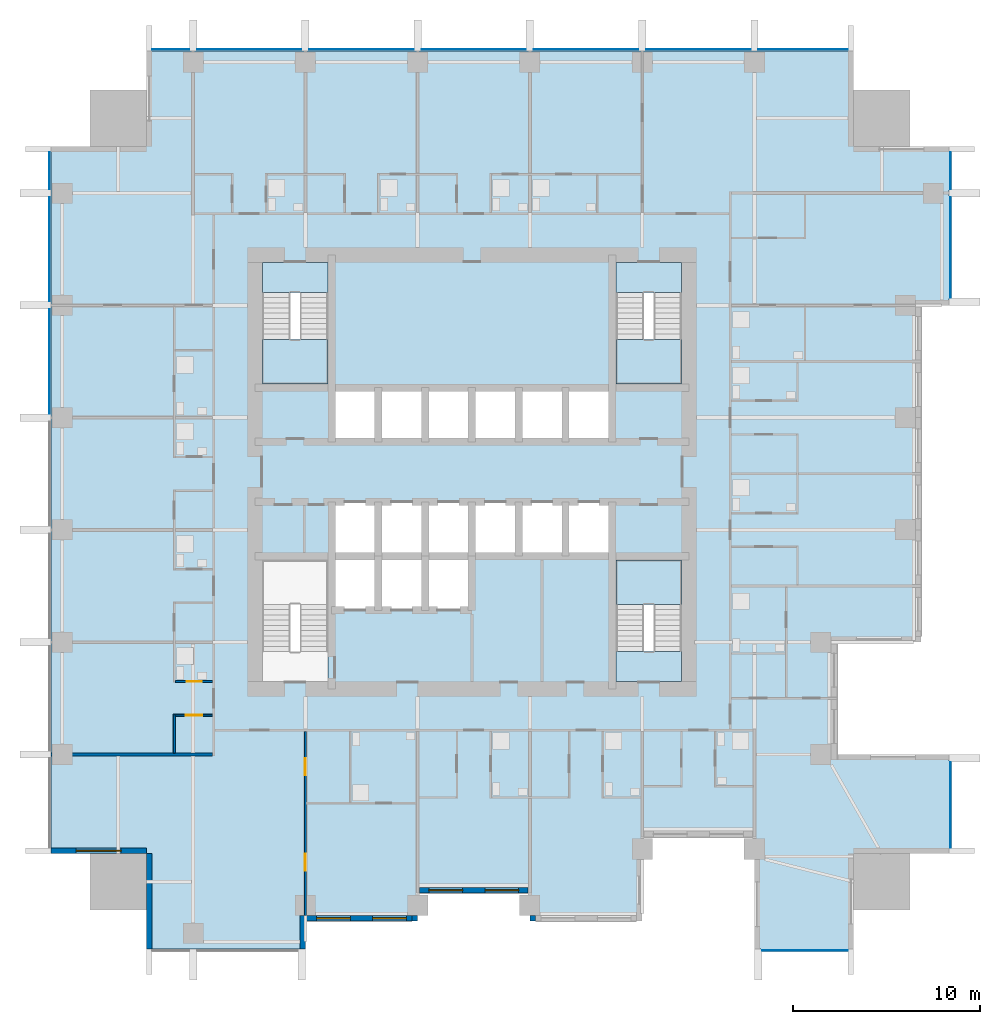
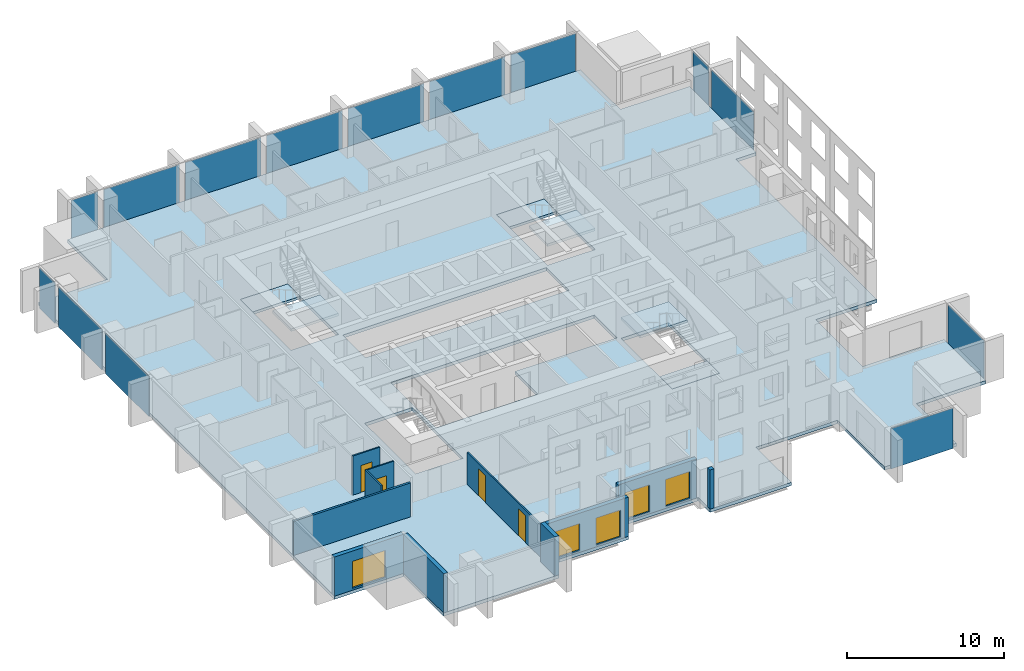
# One storey, part 3 of 12: 14 plates, 12 walls, 7 slabs, 5 windows, 4 doors, 9 openings, 8 elements without a shape of their own.
"""IFC4 building model written with IfcOpenShell, lengths in metres."""

from ifc_helpers import new_model, si_unit, direction, frame, frame_2d, origin, origin_2d, place, context, subcontext, project, spatial, polyline, rectangle, outline, extrude, material, layer, layer_set, type_object, element, fill, aggregate, save


model = new_model("IFC4")

# Units and contexts
model_context = context("Model", 3, precision=1e-05, world=origin(), true_north=direction((0.0, 1.0)))
body_context = subcontext(model_context, "Body", "Model", "MODEL_VIEW")
ifc_project = project(units=[si_unit("LENGTHUNIT", "METRE"), si_unit("AREAUNIT", "SQUARE_METRE"), si_unit("VOLUMEUNIT", "CUBIC_METRE"), si_unit("PLANEANGLEUNIT", "RADIAN"), si_unit("MASSUNIT", "GRAM", prefix="KILO")], contexts=[model_context])

# Site, building, storey
site_placement = place(None, origin())
site = spatial("IfcSite", under=ifc_project, at=site_placement, CompositionType="ELEMENT")
building_placement = place(site_placement, origin())
building = spatial("IfcBuilding", under=site, at=building_placement, Name="Amberfall Residences", CompositionType="ELEMENT")
storey_placement = place(building_placement, frame((0.0, 0.0, 88.60009765625)))
storey = spatial("IfcBuildingStorey", under=building, at=storey_placement, Name="L23", CompositionType="ELEMENT", Elevation=88.60009765625)

# Curtain wall, plate
ifc_material_1 = material(Name="Bronze anodised aluminium and glass", Category="aluminium")
curtain_wall_type = type_object("IfcCurtainWallType", Name="Curtain wall CW1 tower unit", PredefinedType="USERDEFINED", material=ifc_material_1)
curtain_wall_1_placement = place(storey_placement, origin())
curtain_wall_1 = element("IfcCurtainWall", 1, at=curtain_wall_1_placement, inside=storey, type_object=curtain_wall_type, Name="Curtain wall L23 S S11", ObjectType="UNITISED CURTAIN WALL", PredefinedType="USERDEFINED")
ifc_material_2 = material(Name="Tinted double glazed unit", Category="glass")
ifc_layer_1 = layer(ifc_material_2, 0.035888671875)
ifc_layer_set_1 = layer_set([ifc_layer_1], Name="CW1 panel 36 glazing")
plate_type = type_object("IfcPlateType", Name="CW1 panel 36 glazing", PredefinedType="CURTAIN_PANEL", material=ifc_layer_set_1)
plate_1_placement = place(storey_placement, frame((92.300048828125, 19.925048828125, -0.25), z_axis=(0.0, 0.0, 1.0), x_axis=(1.0, 0.0, 0.0)))
plate_1 = element("IfcPlate", 2, at=plate_1_placement, type_object=plate_type, Name="CW1 panel 1.1", PredefinedType="CURTAIN_PANEL", context=body_context, shape_type="SweptSolid", body=[
    extrude(rectangle(XDim=4.575927734375, YDim=0.035888671875, at=origin_2d()), origin(), (0.0, 0.0, 1.0), 3.14990234375),
])
aggregate(curtain_wall_1, [plate_1])

curtain_wall_2_placement = place(storey_placement, origin())
curtain_wall_2 = element("IfcCurtainWall", 3, at=curtain_wall_2_placement, inside=storey, type_object=curtain_wall_type, Name="Curtain wall L23 E E1", ObjectType="UNITISED CURTAIN WALL", PredefinedType="USERDEFINED")
plate_2_placement = place(storey_placement, frame((100.074951171875, 27.699951171875, -0.25), z_axis=(0.0, 0.0, 1.0), x_axis=(0.0, 1.0, 0.0)))
plate_2 = element("IfcPlate", 4, at=plate_2_placement, type_object=plate_type, Name="CW1 panel 1.1", PredefinedType="CURTAIN_PANEL", context=body_context, shape_type="SweptSolid", body=[
    extrude(rectangle(XDim=4.575927734375, YDim=0.035888671875, at=origin_2d()), origin(), (0.0, 0.0, 1.0), 3.14990234375),
])
aggregate(curtain_wall_2, [plate_2])

# Curtain wall, plates
curtain_wall_3_placement = place(storey_placement, origin())
curtain_wall_3 = element("IfcCurtainWall", 5, at=curtain_wall_3_placement, inside=storey, type_object=curtain_wall_type, Name="Curtain wall L23 E E9", ObjectType="UNITISED CURTAIN WALL", PredefinedType="USERDEFINED")
plate_3_placement = place(storey_placement, frame((100.074951171875, 57.5, -0.25), z_axis=(0.0, 0.0, 1.0), x_axis=(0.0, 1.0, 0.0)))
plate_3 = element("IfcPlate", 6, at=plate_3_placement, type_object=plate_type, Name="CW1 panel 1.1", PredefinedType="CURTAIN_PANEL", context=body_context, shape_type="SweptSolid", body=[
    extrude(rectangle(XDim=5.3759765625, YDim=0.035888671875, at=origin_2d()), origin(), (0.0, 0.0, 1.0), 3.14990234375),
])
plate_4_placement = place(storey_placement, frame((100.074951171875, 61.60009765625, -0.25), z_axis=(0.0, 0.0, 1.0), x_axis=(0.0, 1.0, 0.0)))
plate_4 = element("IfcPlate", 7, at=plate_4_placement, type_object=plate_type, Name="CW1 panel 2.1", PredefinedType="CURTAIN_PANEL", context=body_context, shape_type="SweptSolid", body=[
    extrude(rectangle(XDim=1.97607421875, YDim=0.035888671875, at=origin_2d()), origin(), (0.0, 0.0, 1.0), 3.14990234375),
])
aggregate(curtain_wall_3, [plate_3, plate_4])

curtain_wall_4_placement = place(storey_placement, origin())
curtain_wall_4 = element("IfcCurtainWall", 8, at=curtain_wall_4_placement, inside=storey, type_object=curtain_wall_type, Name="Curtain wall L23 N N1", ObjectType="UNITISED CURTAIN WALL", PredefinedType="USERDEFINED")
plate_5_placement = place(storey_placement, frame((92.199951171875, 68.074951171875, -0.25), z_axis=(0.0, 0.0, 1.0), x_axis=(-1.0, 0.0, 0.0)))
plate_5 = element("IfcPlate", 9, at=plate_5_placement, type_object=plate_type, Name="CW1 panel 1.1", PredefinedType="CURTAIN_PANEL", context=body_context, shape_type="SweptSolid", body=[
    extrude(rectangle(XDim=4.77587890625, YDim=0.035888671875, at=origin_2d()), origin(), (0.0, 0.0, 1.0), 3.14990234375),
])
plate_6_placement = place(storey_placement, frame((86.60009765625, 68.074951171875, -0.25), z_axis=(0.0, 0.0, 1.0), x_axis=(-1.0, 0.0, 0.0)))
plate_6 = element("IfcPlate", 10, at=plate_6_placement, type_object=plate_type, Name="CW1 panel 2.1", PredefinedType="CURTAIN_PANEL", context=body_context, shape_type="SweptSolid", body=[
    extrude(rectangle(XDim=5.575927734375, YDim=0.035888671875, at=origin_2d()), origin(), (0.0, 0.0, 1.0), 3.14990234375),
])
plate_7_placement = place(storey_placement, frame((80.60009765625, 68.074951171875, -0.25), z_axis=(0.0, 0.0, 1.0), x_axis=(-1.0, 0.0, 0.0)))
plate_7 = element("IfcPlate", 11, at=plate_7_placement, type_object=plate_type, Name="CW1 panel 3.1", PredefinedType="CURTAIN_PANEL", context=body_context, shape_type="SweptSolid", body=[
    extrude(rectangle(XDim=5.575927734375, YDim=0.035888671875, at=origin_2d()), origin(), (0.0, 0.0, 1.0), 3.14990234375),
])
plate_8_placement = place(storey_placement, frame((74.60009765625, 68.074951171875, -0.25), z_axis=(0.0, 0.0, 1.0), x_axis=(-1.0, 0.0, 0.0)))
plate_8 = element("IfcPlate", 12, at=plate_8_placement, type_object=plate_type, Name="CW1 panel 4.1", PredefinedType="CURTAIN_PANEL", context=body_context, shape_type="SweptSolid", body=[
    extrude(rectangle(XDim=5.575927734375, YDim=0.035888671875, at=origin_2d()), origin(), (0.0, 0.0, 1.0), 3.14990234375),
])
plate_9_placement = place(storey_placement, frame((68.60009765625, 68.074951171875, -0.25), z_axis=(0.0, 0.0, 1.0), x_axis=(-1.0, 0.0, 0.0)))
plate_9 = element("IfcPlate", 13, at=plate_9_placement, type_object=plate_type, Name="CW1 panel 5.1", PredefinedType="CURTAIN_PANEL", context=body_context, shape_type="SweptSolid", body=[
    extrude(rectangle(XDim=5.575927734375, YDim=0.035888671875, at=origin_2d()), origin(), (0.0, 0.0, 1.0), 3.14990234375),
])
plate_10_placement = place(storey_placement, frame((62.60009765625, 68.074951171875, -0.25), z_axis=(0.0, 0.0, 1.0), x_axis=(-1.0, 0.0, 0.0)))
plate_10 = element("IfcPlate", 14, at=plate_10_placement, type_object=plate_type, Name="CW1 panel 6.1", PredefinedType="CURTAIN_PANEL", context=body_context, shape_type="SweptSolid", body=[
    extrude(rectangle(XDim=5.575927734375, YDim=0.035888671875, at=origin_2d()), origin(), (0.0, 0.0, 1.0), 3.14990234375),
])
plate_11_placement = place(storey_placement, frame((58.39990234375, 68.074951171875, -0.25), z_axis=(0.0, 0.0, 1.0), x_axis=(-1.0, 0.0, 0.0)))
plate_11 = element("IfcPlate", 15, at=plate_11_placement, type_object=plate_type, Name="CW1 panel 7.1", PredefinedType="CURTAIN_PANEL", context=body_context, shape_type="SweptSolid", body=[
    extrude(rectangle(XDim=1.97607421875, YDim=0.035888671875, at=origin_2d()), origin(), (0.0, 0.0, 1.0), 3.14990234375),
])
aggregate(curtain_wall_4, [plate_5, plate_6, plate_7, plate_8, plate_9, plate_10, plate_11])

curtain_wall_5_placement = place(storey_placement, origin())
curtain_wall_5 = element("IfcCurtainWall", 16, at=curtain_wall_5_placement, inside=storey, type_object=curtain_wall_type, Name="Curtain wall L23 W W1", ObjectType="UNITISED CURTAIN WALL", PredefinedType="USERDEFINED")
plate_12_placement = place(storey_placement, frame((51.925048828125, 61.60009765625, -0.25), z_axis=(0.0, 0.0, 1.0), x_axis=(0.0, -1.0, 0.0)))
plate_12 = element("IfcPlate", 17, at=plate_12_placement, type_object=plate_type, Name="CW1 panel 1.1", PredefinedType="CURTAIN_PANEL", context=body_context, shape_type="SweptSolid", body=[
    extrude(rectangle(XDim=1.97607421875, YDim=0.035888671875, at=origin_2d()), origin(), (0.0, 0.0, 1.0), 3.14990234375),
])
plate_13_placement = place(storey_placement, frame((51.925048828125, 57.39990234375, -0.25), z_axis=(0.0, 0.0, 1.0), x_axis=(0.0, -1.0, 0.0)))
plate_13 = element("IfcPlate", 18, at=plate_13_placement, type_object=plate_type, Name="CW1 panel 2.1", PredefinedType="CURTAIN_PANEL", context=body_context, shape_type="SweptSolid", body=[
    extrude(rectangle(XDim=5.575927734375, YDim=0.035888671875, at=origin_2d()), origin(), (0.0, 0.0, 1.0), 3.14990234375),
])
plate_14_placement = place(storey_placement, frame((51.925048828125, 51.39990234375, -0.25), z_axis=(0.0, 0.0, 1.0), x_axis=(0.0, -1.0, 0.0)))
plate_14 = element("IfcPlate", 19, at=plate_14_placement, type_object=plate_type, Name="CW1 panel 3.1", PredefinedType="CURTAIN_PANEL", context=body_context, shape_type="SweptSolid", body=[
    extrude(rectangle(XDim=5.575927734375, YDim=0.035888671875, at=origin_2d()), origin(), (0.0, 0.0, 1.0), 3.14990234375),
])
aggregate(curtain_wall_5, [plate_12, plate_13, plate_14])

# Slab
ifc_material_3 = material(Name="Concrete C70", Category="concrete")
ifc_layer_2 = layer(ifc_material_3, 0.25)
ifc_layer_set_2 = layer_set([ifc_layer_2], Name="Floor slab 250 C70")
slab_type_1 = type_object("IfcSlabType", Name="Floor slab 250 C70", PredefinedType="FLOOR", material=ifc_layer_set_2)
slab_1_placement = place(storey_placement, frame((0.0, 0.0, -0.25)))
element("IfcSlab", 20, at=slab_1_placement, inside=storey, type_object=slab_type_1, Name="Floor slab S7 L23", PredefinedType="FLOOR", context=body_context, shape_type="SweptSolid", body=[
    extrude(outline(polyline([(89.60009765625, 20.0), (89.60009765625, 26.0), (83.60009765625, 26.0), (83.60009765625, 21.5), (77.60009765625, 21.5), (77.60009765625, 23.0), (71.60009765625, 23.0), (71.60009765625, 21.5), (65.60009765625, 21.5), (65.60009765625, 20.0), (57.10009765625, 20.0), (57.10009765625, 25.10009765625), (52.0, 25.10009765625), (52.0, 62.89990234375), (57.10009765625, 62.89990234375), (57.10009765625, 68.0), (94.89990234375, 68.0), (94.89990234375, 62.89990234375), (100.0, 62.89990234375), (100.0, 54.39990234375), (98.5, 54.39990234375), (98.5, 48.39990234375), (98.5, 42.39990234375), (98.5, 36.39990234375), (94.0, 36.39990234375), (94.0, 30.39990234375), (100.0, 30.39990234375), (100.0, 25.10009765625), (94.89990234375, 25.10009765625), (94.89990234375, 20.0), (89.60009765625, 20.0)]), holes=[polyline([(85.699951171875, 34.300048828125), (85.699951171875, 40.800048828125), (82.199951171875, 40.800048828125), (82.199951171875, 34.300048828125), (85.699951171875, 34.300048828125)]), polyline([(82.199951171875, 50.199951171875), (85.699951171875, 50.199951171875), (85.699951171875, 56.699951171875), (82.199951171875, 56.699951171875), (82.199951171875, 50.199951171875)]), polyline([(69.5, 50.0), (67.0, 50.0), (67.0, 47.10009765625), (69.5, 47.10009765625), (72.0, 47.10009765625), (74.5, 47.10009765625), (77.0, 47.10009765625), (79.5, 47.10009765625), (82.0, 47.10009765625), (82.0, 50.0), (79.5, 50.0), (77.0, 50.0), (74.5, 50.0), (72.0, 50.0), (69.5, 50.0)]), polyline([(74.5, 41.0), (77.0, 41.0), (79.5, 41.0), (82.0, 41.0), (82.0, 43.89990234375), (79.5, 43.89990234375), (77.0, 43.89990234375), (74.5, 43.89990234375), (72.0, 43.89990234375), (69.5, 43.89990234375), (67.0, 43.89990234375), (67.0, 41.0), (67.0, 38.10009765625), (69.5, 38.10009765625), (72.0, 38.10009765625), (74.5, 38.10009765625), (74.5, 41.0)]), polyline([(66.800048828125, 34.300048828125), (66.800048828125, 40.800048828125), (63.300048828125, 40.800048828125), (63.300048828125, 34.300048828125), (66.800048828125, 34.300048828125)]), polyline([(66.800048828125, 50.199951171875), (66.800048828125, 56.699951171875), (63.300048828125, 56.699951171875), (63.300048828125, 50.199951171875), (66.800048828125, 50.199951171875)])]), origin(), (0.0, 0.0, 1.0), 0.25),
])

# Stair, slabs
ifc_material_4 = material(Name="Concrete C40", Category="concrete")
stair_type = type_object("IfcStairType", Name="Exit stair 20 risers 165.0 mm", PredefinedType="HALF_TURN_STAIR", material=ifc_material_4)
stair_1_placement = place(storey_placement, origin())
stair_1 = element("IfcStair", 21, at=stair_1_placement, inside=storey, type_object=stair_type, Name="L23 Exit stair 2", PredefinedType="HALF_TURN_STAIR")
ifc_layer_3 = layer(ifc_material_4, 0.199951171875)
ifc_layer_set_3 = layer_set([ifc_layer_3], Name="Stair landing 200")
slab_type_2 = type_object("IfcSlabType", Name="Stair landing 200", PredefinedType="LANDING", material=ifc_layer_set_3)
slab_2_placement = place(storey_placement, frame((0.0, 0.0, 1.449951171875)))
slab_2 = element("IfcSlab", 22, at=slab_2_placement, type_object=slab_type_2, Name="ST3 landing 1", PredefinedType="LANDING", context=body_context, shape_type="SweptSolid", body=[
    extrude(outline(polyline([(85.699951171875, 38.419921875), (85.699951171875, 40.800048828125), (82.199951171875, 40.800048828125), (82.199951171875, 38.419921875), (85.699951171875, 38.419921875)])), origin(), (0.0, 0.0, 1.0), 0.199951171875),
])
slab_3_placement = place(storey_placement, frame((0.0, 0.0, -0.2001953125)))
slab_3 = element("IfcSlab", 23, at=slab_3_placement, type_object=slab_type_2, Name="ST3 landing 2", PredefinedType="LANDING", context=body_context, shape_type="SweptSolid", body=[
    extrude(outline(polyline([(85.699951171875, 34.300048828125), (85.699951171875, 35.89990234375), (82.199951171875, 35.89990234375), (82.199951171875, 34.300048828125), (85.699951171875, 34.300048828125)])), origin(), (0.0, 0.0, 1.0), 0.2001953125),
])
aggregate(stair_1, [slab_2, slab_3])

stair_2_placement = place(storey_placement, origin())
stair_2 = element("IfcStair", 24, at=stair_2_placement, inside=storey, type_object=stair_type, Name="L23 Exit stair 3", PredefinedType="HALF_TURN_STAIR")
slab_4_placement = place(storey_placement, frame((0.0, 0.0, 1.449951171875)))
slab_4 = element("IfcSlab", 25, at=slab_4_placement, type_object=slab_type_2, Name="ST3 landing 1", PredefinedType="LANDING", context=body_context, shape_type="SweptSolid", body=[
    extrude(outline(polyline([(82.199951171875, 52.580078125), (82.199951171875, 50.199951171875), (85.699951171875, 50.199951171875), (85.699951171875, 52.580078125), (82.199951171875, 52.580078125)])), origin(), (0.0, 0.0, 1.0), 0.199951171875),
])
slab_5_placement = place(storey_placement, frame((0.0, 0.0, -0.2001953125)))
slab_5 = element("IfcSlab", 26, at=slab_5_placement, type_object=slab_type_2, Name="ST3 landing 2", PredefinedType="LANDING", context=body_context, shape_type="SweptSolid", body=[
    extrude(outline(polyline([(82.199951171875, 56.699951171875), (82.199951171875, 55.10009765625), (85.699951171875, 55.10009765625), (85.699951171875, 56.699951171875), (82.199951171875, 56.699951171875)])), origin(), (0.0, 0.0, 1.0), 0.2001953125),
])
aggregate(stair_2, [slab_4, slab_5])

stair_3_placement = place(storey_placement, origin())
stair_3 = element("IfcStair", 27, at=stair_3_placement, inside=storey, type_object=stair_type, Name="L23 Exit stair 4", PredefinedType="HALF_TURN_STAIR")
slab_6_placement = place(storey_placement, frame((0.0, 0.0, 1.449951171875)))
slab_6 = element("IfcSlab", 28, at=slab_6_placement, type_object=slab_type_2, Name="ST3 landing 1", PredefinedType="LANDING", context=body_context, shape_type="SweptSolid", body=[
    extrude(outline(polyline([(63.300048828125, 52.580078125), (63.300048828125, 50.199951171875), (66.800048828125, 50.199951171875), (66.800048828125, 52.580078125), (63.300048828125, 52.580078125)])), origin(), (0.0, 0.0, 1.0), 0.199951171875),
])
slab_7_placement = place(storey_placement, frame((0.0, 0.0, -0.2001953125)))
slab_7 = element("IfcSlab", 29, at=slab_7_placement, type_object=slab_type_2, Name="ST3 landing 2", PredefinedType="LANDING", context=body_context, shape_type="SweptSolid", body=[
    extrude(outline(polyline([(63.300048828125, 56.699951171875), (63.300048828125, 55.10009765625), (66.800048828125, 55.10009765625), (66.800048828125, 56.699951171875), (63.300048828125, 56.699951171875)])), origin(), (0.0, 0.0, 1.0), 0.2001953125),
])
aggregate(stair_3, [slab_6, slab_7])

# Walls
ifc_material_5 = material(Name="Pale stone cladding on insulated backing", Category="masonry")
ifc_layer_4 = layer(ifc_material_5, 0.300048828125)
ifc_layer_set_4 = layer_set([ifc_layer_4], Name="Bronze clad wall 300")
wall_type_1 = type_object("IfcWallType", Name="Bronze clad wall 300", PredefinedType="SOLIDWALL", material=ifc_layer_set_4)
wall_1_placement = place(storey_placement, frame((65.449951171875, 20.0, 0.0), z_axis=(0.0, 0.0, 1.0), x_axis=(0.0, 1.0, 0.0)))
element("IfcWall", 30, at=wall_1_placement, inside=storey, type_object=wall_type_1, Name="External wall L23 S", PredefinedType="SOLIDWALL", context=body_context, shape_type="SweptSolid", body=[
    extrude(rectangle(XDim=1.800048828125, YDim=0.300048828125, at=frame_2d((0.89990234375, 0.0))), origin(), (0.0, 0.0, 1.0), 3.0498046875),
])
for number, where, z_axis, x_axis, name in (
    (31, (71.449951171875, 21.5, 0.0), (0.0, 0.0, 1.0), (0.0, 1.0, 0.0), "External wall L23 S"),
    (32, (77.75, 21.800048828125, 0.0), (0.0, 0.0, 1.0), (0.0, -1.0, 0.0), "External wall L23 S"),
):
    element("IfcWall", number, at=place(storey_placement, frame(where, z_axis=z_axis, x_axis=x_axis)), inside=storey, type_object=wall_type_1, Name=name, PredefinedType="SOLIDWALL", context=body_context, shape_type="SweptSolid", body=[
        extrude(rectangle(XDim=0.300048828125, YDim=0.300048828125, at=frame_2d((0.14990234375, 0.0))), origin(), (0.0, 0.0, 1.0), 3.0498046875),
    ])

# Wall, opening, window
wall_2_placement = place(storey_placement, frame((52.0, 25.25, 0.0), z_axis=(0.0, 0.0, 1.0), x_axis=(1.0, 0.0, 0.0)))
wall_2 = element("IfcWall", 33, at=wall_2_placement, inside=storey, type_object=wall_type_1, Name="External wall L23 SW", PredefinedType="SOLIDWALL", context=body_context, shape_type="SweptSolid", body=[
    extrude(rectangle(XDim=5.10009765625, YDim=0.300048828125, at=frame_2d((2.550048828125, 0.0))), origin(), (0.0, 0.0, 1.0), 3.0498046875),
])
opening_1_placement = place(wall_2_placement, frame((1.35009765625, 0.0, 0.14990234375)))
opening_1 = element("IfcOpeningElement", 34, at=opening_1_placement, cuts=wall_2, Name="Opening WN5", PredefinedType="OPENING", context=body_context, shape_type="SweptSolid", body=[
    extrude(rectangle(XDim=2.39990234375, YDim=2.10009765625, at=frame_2d((1.199951171875, 1.050048828125))), frame((0.0, 0.159912109375, 0.0), z_axis=(0.0, -1.0, 0.0), x_axis=(1.0, 0.0, 0.0)), (0.0, 0.0, 1.0), 0.320068359375),
])
ifc_material_6 = material(Name="Bronze aluminium framed glazing", Category="aluminium")
window_type_1 = type_object("IfcWindowType", Name="Glazed opening 2400 x 2100 bronze", PartitioningType="DOUBLE_PANEL_VERTICAL", PredefinedType="WINDOW", material=ifc_material_6)
window_1_placement = place(opening_1_placement, origin())
window_1 = element("IfcWindow", 35, at=window_1_placement, inside=storey, type_object=window_type_1, Name="Window L23 SW", OverallHeight=2.10009765625, OverallWidth=2.39990234375, PartitioningType="DOUBLE_PANEL_VERTICAL", PredefinedType="WINDOW", context=body_context, shape_type="SweptSolid", body=[
    extrude(rectangle(XDim=2.39990234375, YDim=2.10009765625, at=frame_2d((1.199951171875, 1.050048828125))), frame((0.0, 0.030029296875, 0.0), z_axis=(0.0, -1.0, 0.0), x_axis=(1.0, 0.0, 0.0)), (0.0, 0.0, 1.0), 0.06005859375),
])
fill(opening_1, window_1)

# Wall
wall_3_placement = place(storey_placement, frame((57.25, 25.10009765625, 0.0), z_axis=(0.0, 0.0, 1.0), x_axis=(0.0, -1.0, 0.0)))
element("IfcWall", 36, at=wall_3_placement, inside=storey, type_object=wall_type_1, Name="External wall L23 SW", PredefinedType="SOLIDWALL", context=body_context, shape_type="SweptSolid", body=[
    extrude(rectangle(XDim=5.10009765625, YDim=0.300048828125, at=frame_2d((2.550048828125, 0.0))), origin(), (0.0, 0.0, 1.0), 3.0498046875),
])

# Wall, openings, windows
wall_4_placement = place(storey_placement, frame((65.60009765625, 21.64990234375, 0.0), z_axis=(0.0, 0.0, 1.0), x_axis=(1.0, 0.0, 0.0)))
wall_4 = element("IfcWall", 37, at=wall_4_placement, inside=storey, type_object=wall_type_1, Name="Stone wall L23 S", PredefinedType="SOLIDWALL", context=body_context, shape_type="SweptSolid", body=[
    extrude(rectangle(XDim=5.699951171875, YDim=0.300048828125, at=frame_2d((2.85009765625, 0.0))), origin(), (0.0, 0.0, 1.0), 3.0498046875),
])
opening_2_placement = place(wall_4_placement, frame((0.60009765625, 0.0, 0.14990234375)))
opening_2 = element("IfcOpeningElement", 38, at=opening_2_placement, cuts=wall_4, Name="Opening WN6", PredefinedType="OPENING", context=body_context, shape_type="SweptSolid", body=[
    extrude(rectangle(XDim=1.800048828125, YDim=2.10009765625, at=frame_2d((0.89990234375, 1.050048828125))), frame((0.0, 0.159912109375, 0.0), z_axis=(0.0, -1.0, 0.0), x_axis=(1.0, 0.0, 0.0)), (0.0, 0.0, 1.0), 0.320068359375),
])
opening_3_placement = place(wall_4_placement, frame((3.60009765625, 0.0, 0.14990234375)))
opening_3 = element("IfcOpeningElement", 39, at=opening_3_placement, cuts=wall_4, Name="Opening WN6", PredefinedType="OPENING", context=body_context, shape_type="SweptSolid", body=[
    extrude(rectangle(XDim=1.800048828125, YDim=2.10009765625, at=frame_2d((0.89990234375, 1.050048828125))), frame((0.0, 0.159912109375, 0.0), z_axis=(0.0, -1.0, 0.0), x_axis=(1.0, 0.0, 0.0)), (0.0, 0.0, 1.0), 0.320068359375),
])
window_type_2 = type_object("IfcWindowType", Name="Glazed opening 1800 x 2100 bronze", PartitioningType="DOUBLE_PANEL_VERTICAL", PredefinedType="WINDOW", material=ifc_material_6)
window_2_placement = place(opening_2_placement, origin())
window_2 = element("IfcWindow", 40, at=window_2_placement, inside=storey, type_object=window_type_2, Name="Window L23 S", OverallHeight=2.10009765625, OverallWidth=1.800048828125, PartitioningType="DOUBLE_PANEL_VERTICAL", PredefinedType="WINDOW", context=body_context, shape_type="SweptSolid", body=[
    extrude(rectangle(XDim=1.800048828125, YDim=2.10009765625, at=frame_2d((0.89990234375, 1.050048828125))), frame((0.0, 0.030029296875, 0.0), z_axis=(0.0, -1.0, 0.0), x_axis=(1.0, 0.0, 0.0)), (0.0, 0.0, 1.0), 0.06005859375),
])
fill(opening_2, window_2)
window_3_placement = place(opening_3_placement, origin())
window_3 = element("IfcWindow", 41, at=window_3_placement, inside=storey, type_object=window_type_2, Name="Window L23 S", OverallHeight=2.10009765625, OverallWidth=1.800048828125, PartitioningType="DOUBLE_PANEL_VERTICAL", PredefinedType="WINDOW", context=body_context, shape_type="SweptSolid", body=[
    extrude(rectangle(XDim=1.800048828125, YDim=2.10009765625, at=frame_2d((0.89990234375, 1.050048828125))), frame((0.0, 0.030029296875, 0.0), z_axis=(0.0, -1.0, 0.0), x_axis=(1.0, 0.0, 0.0)), (0.0, 0.0, 1.0), 0.06005859375),
])
fill(opening_3, window_3)

wall_5_placement = place(storey_placement, frame((71.7099609375, 23.14990234375, 0.0), z_axis=(0.0, 0.0, 1.0), x_axis=(1.0, 0.0, 0.0)))
wall_5 = element("IfcWall", 42, at=wall_5_placement, inside=storey, type_object=wall_type_1, Name="Stone wall L23 S", PredefinedType="SOLIDWALL", context=body_context, shape_type="SweptSolid", body=[
    extrude(rectangle(XDim=5.780029296875, YDim=0.300048828125, at=frame_2d((2.89013671875, 0.0))), origin(), (0.0, 0.0, 1.0), 3.0498046875),
])
opening_4_placement = place(wall_5_placement, frame((0.489990234375, 0.0, 0.14990234375)))
opening_4 = element("IfcOpeningElement", 43, at=opening_4_placement, cuts=wall_5, Name="Opening WN6", PredefinedType="OPENING", context=body_context, shape_type="SweptSolid", body=[
    extrude(rectangle(XDim=1.800048828125, YDim=2.10009765625, at=frame_2d((0.89990234375, 1.050048828125))), frame((0.0, 0.159912109375, 0.0), z_axis=(0.0, -1.0, 0.0), x_axis=(1.0, 0.0, 0.0)), (0.0, 0.0, 1.0), 0.320068359375),
])
opening_5_placement = place(wall_5_placement, frame((3.489990234375, 0.0, 0.14990234375)))
opening_5 = element("IfcOpeningElement", 44, at=opening_5_placement, cuts=wall_5, Name="Opening WN6", PredefinedType="OPENING", context=body_context, shape_type="SweptSolid", body=[
    extrude(rectangle(XDim=1.800048828125, YDim=2.10009765625, at=frame_2d((0.89990234375, 1.050048828125))), frame((0.0, 0.159912109375, 0.0), z_axis=(0.0, -1.0, 0.0), x_axis=(1.0, 0.0, 0.0)), (0.0, 0.0, 1.0), 0.320068359375),
])
window_4_placement = place(opening_4_placement, origin())
window_4 = element("IfcWindow", 45, at=window_4_placement, inside=storey, type_object=window_type_2, Name="Window L23 S", OverallHeight=2.10009765625, OverallWidth=1.800048828125, PartitioningType="DOUBLE_PANEL_VERTICAL", PredefinedType="WINDOW", context=body_context, shape_type="SweptSolid", body=[
    extrude(rectangle(XDim=1.800048828125, YDim=2.10009765625, at=frame_2d((0.89990234375, 1.050048828125))), frame((0.0, 0.030029296875, 0.0), z_axis=(0.0, -1.0, 0.0), x_axis=(1.0, 0.0, 0.0)), (0.0, 0.0, 1.0), 0.06005859375),
])
fill(opening_4, window_4)
window_5_placement = place(opening_5_placement, origin())
window_5 = element("IfcWindow", 46, at=window_5_placement, inside=storey, type_object=window_type_2, Name="Window L23 S", OverallHeight=2.10009765625, OverallWidth=1.800048828125, PartitioningType="DOUBLE_PANEL_VERTICAL", PredefinedType="WINDOW", context=body_context, shape_type="SweptSolid", body=[
    extrude(rectangle(XDim=1.800048828125, YDim=2.10009765625, at=frame_2d((0.89990234375, 1.050048828125))), frame((0.0, 0.030029296875, 0.0), z_axis=(0.0, -1.0, 0.0), x_axis=(1.0, 0.0, 0.0)), (0.0, 0.0, 1.0), 0.06005859375),
])
fill(opening_5, window_5)

# Wall
ifc_material_7 = material(Name="Gypsum board on metal stud")
ifc_layer_5 = layer(ifc_material_7, 0.10009765625)
ifc_layer_set_5 = layer_set([ifc_layer_5], Name="Flat partition 100")
wall_type_2 = type_object("IfcWallType", Name="Flat partition 100", PredefinedType="PARTITIONING", material=ifc_layer_set_5)
wall_6_placement = place(storey_placement, frame((58.60009765625, 30.47509765625, 0.0), z_axis=(0.0, 0.0, 1.0), x_axis=(0.0, 1.0, 0.0)))
element("IfcWall", 47, at=wall_6_placement, inside=storey, type_object=wall_type_2, Name="Partition 001", PredefinedType="PARTITIONING", context=body_context, shape_type="SweptSolid", body=[
    extrude(rectangle(XDim=2.074951171875, YDim=0.10009765625, at=frame_2d((1.03759765625, 0.0))), origin(), (0.0, 0.0, 1.0), 3.0498046875),
])

# Wall, openings, doors
wall_7_placement = place(storey_placement, frame((65.60009765625, 31.625, 0.0), z_axis=(0.0, 0.0, 1.0), x_axis=(0.0, -1.0, 0.0)))
wall_7 = element("IfcWall", 48, at=wall_7_placement, inside=storey, type_object=wall_type_2, Name="Partition 007", PredefinedType="PARTITIONING", context=body_context, shape_type="SweptSolid", body=[
    extrude(rectangle(XDim=10.125, YDim=0.10009765625, at=frame_2d((5.0625, 0.0))), origin(), (0.0, 0.0, 1.0), 2.515869140625),
])
opening_6_placement = place(wall_7_placement, frame((1.425048828125, 0.0, 0.0)))
opening_6 = element("IfcOpeningElement", 49, at=opening_6_placement, cuts=wall_7, Name="Opening D41", PredefinedType="OPENING", context=body_context, shape_type="SweptSolid", body=[
    extrude(rectangle(XDim=0.89990234375, YDim=2.10009765625, at=frame_2d((0.449951171875, 1.050048828125))), frame((0.0, 0.06005859375, 0.0), z_axis=(0.0, -1.0, 0.0), x_axis=(1.0, 0.0, 0.0)), (0.0, 0.0, 1.0), 0.1201171875),
])
opening_7_placement = place(wall_7_placement, frame((6.52490234375, 0.0, 0.0)))
opening_7 = element("IfcOpeningElement", 50, at=opening_7_placement, cuts=wall_7, Name="Opening D41", PredefinedType="OPENING", context=body_context, shape_type="SweptSolid", body=[
    extrude(rectangle(XDim=0.89990234375, YDim=2.10009765625, at=frame_2d((0.449951171875, 1.050048828125))), frame((0.0, 0.06005859375, 0.0), z_axis=(0.0, -1.0, 0.0), x_axis=(1.0, 0.0, 0.0)), (0.0, 0.0, 1.0), 0.1201171875),
])
ifc_material_8 = material(Name="Timber", Category="wood")
door_type_1 = type_object("IfcDoorType", Name="Internal door 900 x 2100", OperationType="SINGLE_SWING_LEFT", PredefinedType="DOOR", material=ifc_material_8)
door_1_placement = place(opening_6_placement, origin())
door_1 = element("IfcDoor", 51, at=door_1_placement, inside=storey, type_object=door_type_1, Name="Door 2301 kitchen", OperationType="SINGLE_SWING_LEFT", OverallHeight=2.10009765625, OverallWidth=0.89990234375, PredefinedType="DOOR", context=body_context, shape_type="SweptSolid", body=[
    extrude(rectangle(XDim=0.89990234375, YDim=2.10009765625, at=frame_2d((0.449951171875, 1.050048828125))), frame((0.0, 0.02490234375, 0.0), z_axis=(0.0, -1.0, 0.0), x_axis=(1.0, 0.0, 0.0)), (0.0, 0.0, 1.0), 0.050048828125),
])
fill(opening_6, door_1)
door_2_placement = place(opening_7_placement, origin())
door_2 = element("IfcDoor", 52, at=door_2_placement, inside=storey, type_object=door_type_1, Name="Door 2301 bedroom1", OperationType="SINGLE_SWING_LEFT", OverallHeight=2.10009765625, OverallWidth=0.89990234375, PredefinedType="DOOR", context=body_context, shape_type="SweptSolid", body=[
    extrude(rectangle(XDim=0.89990234375, YDim=2.10009765625, at=frame_2d((0.449951171875, 1.050048828125))), frame((0.0, 0.02490234375, 0.0), z_axis=(0.0, -1.0, 0.0), x_axis=(1.0, 0.0, 0.0)), (0.0, 0.0, 1.0), 0.050048828125),
])
fill(opening_7, door_2)

# Wall, opening, door
wall_8_placement = place(storey_placement, frame((58.64990234375, 34.300048828125, 0.0), z_axis=(0.0, 0.0, 1.0), x_axis=(1.0, 0.0, 0.0)))
wall_8 = element("IfcWall", 53, at=wall_8_placement, inside=storey, type_object=wall_type_2, Name="Partition 044", PredefinedType="PARTITIONING", context=body_context, shape_type="SweptSolid", body=[
    extrude(rectangle(XDim=1.97509765625, YDim=0.10009765625, at=frame_2d((0.987548828125, 0.0))), origin(), (0.0, 0.0, 1.0), 3.0498046875),
])
opening_8_placement = place(wall_8_placement, frame((0.60009765625, 0.0, 0.0)))
opening_8 = element("IfcOpeningElement", 54, at=opening_8_placement, cuts=wall_8, Name="Opening D42", PredefinedType="OPENING", context=body_context, shape_type="SweptSolid", body=[
    extrude(rectangle(XDim=0.800048828125, YDim=2.10009765625, at=frame_2d((0.39990234375, 1.050048828125))), frame((0.0, 0.06005859375, 0.0), z_axis=(0.0, -1.0, 0.0), x_axis=(1.0, 0.0, 0.0)), (0.0, 0.0, 1.0), 0.1201171875),
])
door_type_2 = type_object("IfcDoorType", Name="Bathroom door 800 x 2100", OperationType="SINGLE_SWING_LEFT", PredefinedType="DOOR", material=ifc_material_8)
door_3_placement = place(opening_8_placement, origin())
door_3 = element("IfcDoor", 55, at=door_3_placement, inside=storey, type_object=door_type_2, Name="Door 2313 bath1", OperationType="SINGLE_SWING_LEFT", OverallHeight=2.10009765625, OverallWidth=0.800048828125, PredefinedType="DOOR", context=body_context, shape_type="SweptSolid", body=[
    extrude(rectangle(XDim=0.800048828125, YDim=2.10009765625, at=frame_2d((0.39990234375, 1.050048828125))), frame((0.0, 0.02490234375, 0.0), z_axis=(0.0, -1.0, 0.0), x_axis=(1.0, 0.0, 0.0)), (0.0, 0.0, 1.0), 0.050048828125),
])
fill(opening_8, door_3)

wall_9_placement = place(storey_placement, frame((60.625, 32.5, 0.0), z_axis=(0.0, 0.0, 1.0), x_axis=(-1.0, 0.0, 0.0)))
wall_9 = element("IfcWall", 56, at=wall_9_placement, inside=storey, type_object=wall_type_2, Name="Partition 046", PredefinedType="PARTITIONING", context=body_context, shape_type="SweptSolid", body=[
    extrude(rectangle(XDim=1.97509765625, YDim=0.10009765625, at=frame_2d((0.987548828125, 0.0))), origin(), (0.0, 0.0, 1.0), 3.0498046875),
])
opening_9_placement = place(wall_9_placement, frame((0.52490234375, 0.0, 0.0)))
opening_9 = element("IfcOpeningElement", 57, at=opening_9_placement, cuts=wall_9, Name="Opening D41", PredefinedType="OPENING", context=body_context, shape_type="SweptSolid", body=[
    extrude(rectangle(XDim=0.89990234375, YDim=2.10009765625, at=frame_2d((0.449951171875, 1.050048828125))), frame((0.0, 0.06005859375, 0.0), z_axis=(0.0, -1.0, 0.0), x_axis=(1.0, 0.0, 0.0)), (0.0, 0.0, 1.0), 0.1201171875),
])
door_4_placement = place(opening_9_placement, origin())
door_4 = element("IfcDoor", 58, at=door_4_placement, inside=storey, type_object=door_type_1, Name="Door 2313 kitchen", OperationType="SINGLE_SWING_LEFT", OverallHeight=2.10009765625, OverallWidth=0.89990234375, PredefinedType="DOOR", context=body_context, shape_type="SweptSolid", body=[
    extrude(rectangle(XDim=0.89990234375, YDim=2.10009765625, at=frame_2d((0.449951171875, 1.050048828125))), frame((0.0, 0.02490234375, 0.0), z_axis=(0.0, -1.0, 0.0), x_axis=(1.0, 0.0, 0.0)), (0.0, 0.0, 1.0), 0.050048828125),
])
fill(opening_9, door_4)

# Wall
ifc_material_9 = material(Name="Blockwork, plastered", Category="masonry")
ifc_layer_6 = layer(ifc_material_9, 0.14990234375)
ifc_layer_set_6 = layer_set([ifc_layer_6], Name="Flat separating wall 150")
wall_type_3 = type_object("IfcWallType", Name="Flat separating wall 150", PredefinedType="PARTITIONING", material=ifc_layer_set_6)
wall_10_placement = place(storey_placement, frame((52.0, 30.39990234375, 0.0), z_axis=(0.0, 0.0, 1.0), x_axis=(1.0, 0.0, 0.0)))
element("IfcWall", 59, at=wall_10_placement, inside=storey, type_object=wall_type_3, Name="Separating wall 072", PredefinedType="PARTITIONING", context=body_context, shape_type="SweptSolid", body=[
    extrude(rectangle(XDim=8.625, YDim=0.14990234375, at=frame_2d((4.3125, 0.0))), origin(), (0.0, 0.0, 1.0), 2.64697265625),
])

save(model, "model.ifc")
